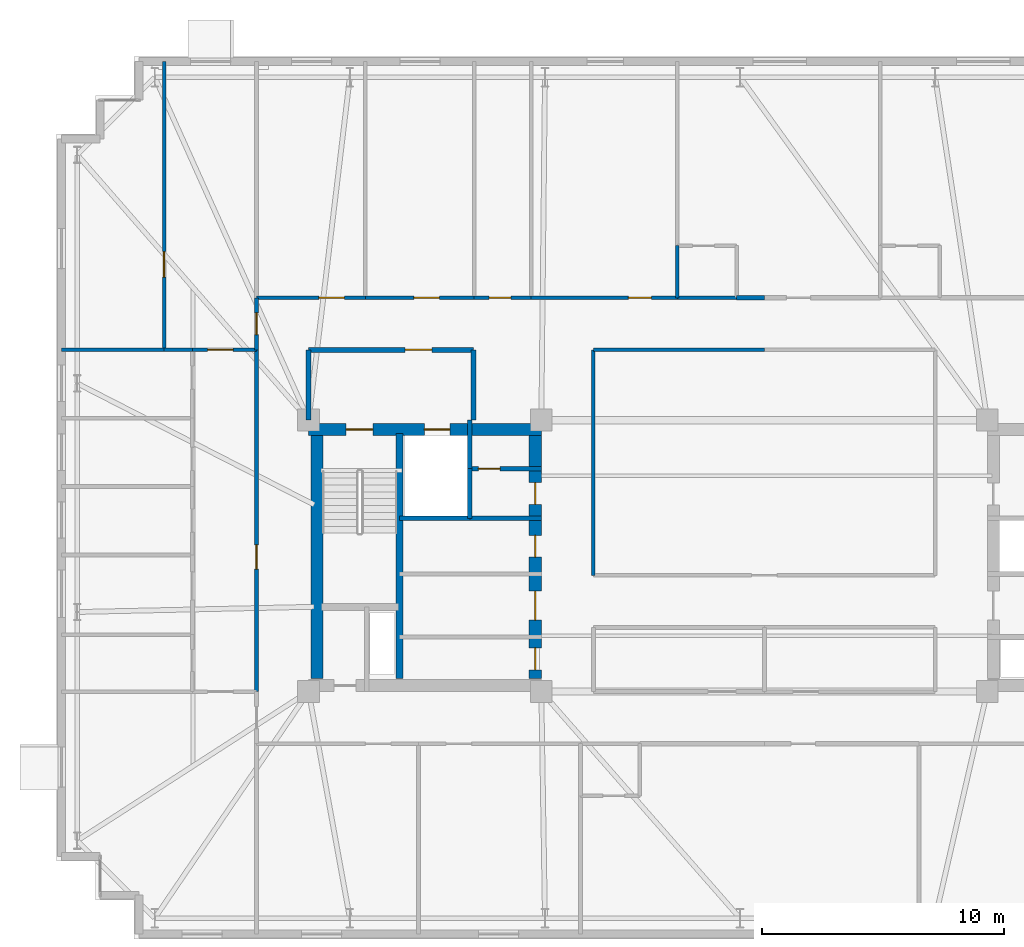
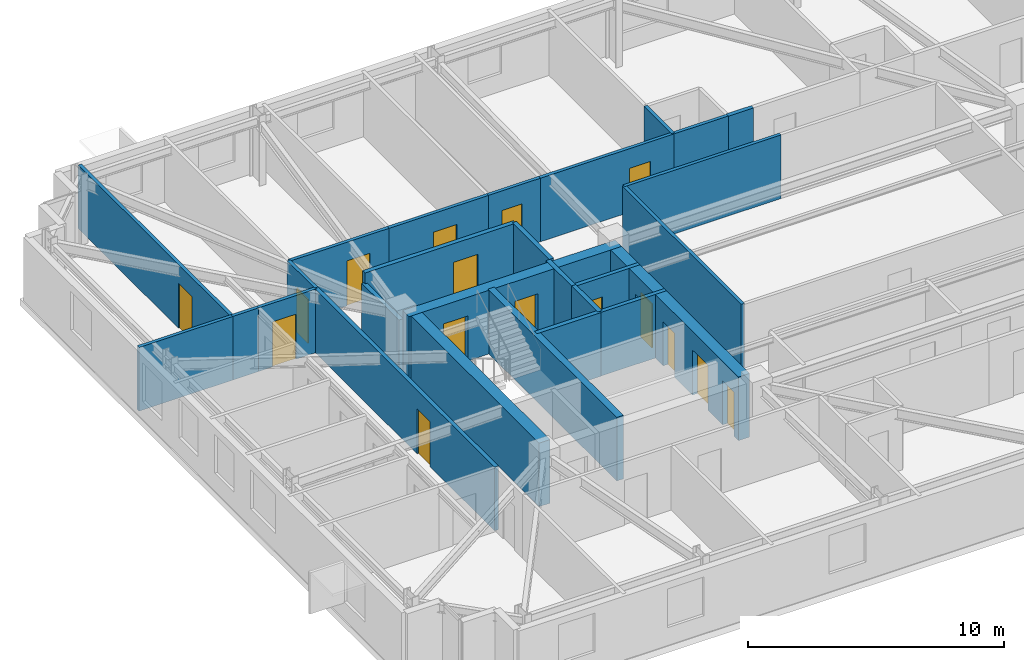
# One storey, part 12 of 17: 27 walls, 16 doors, 16 openings.
"""IFC4 building model written with IfcOpenShell, lengths in metres."""

from ifc_helpers import new_model, si_unit, direction, frame, frame_2d, origin, place, context, subcontext, project, spatial, rectangle, extrude, material, layer, layer_set, type_object, element, fill, save


model = new_model("IFC4")

# Units and contexts
model_context = context("Model", 3, precision=1e-05, world=origin(), true_north=direction((0.0, 1.0)))
body_context = subcontext(model_context, "Body", "Model", "MODEL_VIEW")
ifc_project = project(units=[si_unit("LENGTHUNIT", "METRE"), si_unit("AREAUNIT", "SQUARE_METRE"), si_unit("VOLUMEUNIT", "CUBIC_METRE"), si_unit("PLANEANGLEUNIT", "RADIAN"), si_unit("MASSUNIT", "GRAM", prefix="KILO")], contexts=[model_context])

# Site, building, storey
site_placement = place(None, origin())
site = spatial("IfcSite", under=ifc_project, at=site_placement, CompositionType="ELEMENT")
building_placement = place(site_placement, origin())
building = spatial("IfcBuilding", under=site, at=building_placement, Name="Qobustan Lattice House", CompositionType="ELEMENT")
storey_placement = place(building_placement, frame((0.0, 0.0, 164.5)))
storey = spatial("IfcBuildingStorey", under=building, at=storey_placement, Name="L46", CompositionType="ELEMENT", Elevation=164.5)

# Wall, openings, doors
ifc_material_1 = material(Name="Concrete C50/60", Category="concrete")
ifc_layer_1 = layer(ifc_material_1, 0.5)
ifc_layer_set_1 = layer_set([ifc_layer_1], Name="Concrete C50/60")
wall_type_1 = type_object("IfcWallType", Name="WAL-CORE-500", PredefinedType="SHEAR", material=ifc_layer_set_1)
wall_1_placement = place(storey_placement, frame((-18.800048828125, 5.2099609375, 0.0), z_axis=(0.0, 0.0, 1.0), x_axis=(1.0, 0.0, 0.0)))
wall_1 = element("IfcWall", 1, at=wall_1_placement, inside=storey, type_object=wall_type_1, Name="L46 split-core shear wall CW-N", PredefinedType="SHEAR", context=body_context, shape_type="SweptSolid", body=[
    extrude(rectangle(XDim=9.60009765625, YDim=0.5, at=frame_2d((4.800048828125, 0.0))), origin(), (0.0, 0.0, 1.0), 3.0400390625),
])
opening_1_placement = place(wall_1_placement, frame((1.550048828125, 0.0, 0.0)))
opening_1 = element("IfcOpeningElement", 2, at=opening_1_placement, cuts=wall_1, Name="Opening SD-01", PredefinedType="OPENING", context=body_context, shape_type="SweptSolid", body=[
    extrude(rectangle(XDim=1.10009765625, YDim=2.14990234375, at=frame_2d((0.550048828125, 1.074951171875))), frame((0.0, 0.260009765625, 0.0), z_axis=(0.0, -1.0, 0.0), x_axis=(1.0, 0.0, 0.0)), (0.0, 0.0, 1.0), 0.52001953125),
])
opening_2_placement = place(wall_1_placement, frame((4.77490234375, 0.0, 0.0)))
opening_2 = element("IfcOpeningElement", 3, at=opening_2_placement, cuts=wall_1, Name="Opening LD-01", PredefinedType="OPENING", context=body_context, shape_type="SweptSolid", body=[
    extrude(rectangle(XDim=1.050048828125, YDim=2.10009765625, at=frame_2d((0.52490234375, 1.050048828125))), frame((0.0, 0.260009765625, 0.0), z_axis=(0.0, -1.0, 0.0), x_axis=(1.0, 0.0, 0.0)), (0.0, 0.0, 1.0), 0.52001953125),
])
ifc_material_2 = material(Name="Persian walnut timber and steel frame door", Category="steel")
door_type_1 = type_object("IfcDoorType", Name="DOR-LIFT-LD-1050x2100", OperationType="NOTDEFINED", PredefinedType="DOOR", material=ifc_material_2)
door_1_placement = place(opening_2_placement, origin())
door_1 = element("IfcDoor", 4, at=door_1_placement, inside=storey, type_object=door_type_1, Name="L46 firefighting lift FF-W landing door", OperationType="DOUBLE_DOOR_SLIDING", OverallHeight=2.10009765625, OverallWidth=1.050048828125, PredefinedType="DOOR", context=body_context, shape_type="SweptSolid", body=[
    extrude(rectangle(XDim=1.050048828125, YDim=2.10009765625, at=frame_2d((0.52490234375, 1.050048828125))), frame((0.0, 0.02490234375, 0.0), z_axis=(0.0, -1.0, 0.0), x_axis=(1.0, 0.0, 0.0)), (0.0, 0.0, 1.0), 0.050048828125),
])
fill(opening_2, door_1)
ifc_material_3 = material(Name="Persian walnut timber and steel frame door", Category="steel")
door_type_2 = type_object("IfcDoorType", Name="DOR-STAIR-FD-1100x2150", OperationType="NOTDEFINED", PredefinedType="DOOR", material=ifc_material_3)
door_2_placement = place(opening_1_placement, origin())
door_2 = element("IfcDoor", 5, at=door_2_placement, inside=storey, type_object=door_type_2, Name="L46 exit stair ST-W1 fire door", OperationType="SINGLE_SWING_LEFT", OverallHeight=2.14990234375, OverallWidth=1.10009765625, PredefinedType="DOOR", context=body_context, shape_type="SweptSolid", body=[
    extrude(rectangle(XDim=1.10009765625, YDim=2.14990234375, at=frame_2d((0.550048828125, 1.074951171875))), frame((0.0, 0.02490234375, 0.0), z_axis=(0.0, -1.0, 0.0), x_axis=(1.0, 0.0, 0.0)), (0.0, 0.0, 1.0), 0.050048828125),
])
fill(opening_1, door_2)

# Wall
wall_2_placement = place(storey_placement, frame((-18.4599609375, -5.050048828125, 0.0), z_axis=(0.0, 0.0, 1.0), x_axis=(0.0, 1.0, 0.0)))
element("IfcWall", 6, at=wall_2_placement, inside=storey, type_object=wall_type_1, Name="L46 split-core shear wall CW-W", PredefinedType="SHEAR", context=body_context, shape_type="SweptSolid", body=[
    extrude(rectangle(XDim=10.10009765625, YDim=0.5, at=frame_2d((5.050048828125, 0.0))), origin(), (0.0, 0.0, 1.0), 3.0400390625),
])

# Wall, openings, doors
wall_3_placement = place(storey_placement, frame((-9.449951171875, -5.050048828125, 0.0), z_axis=(0.0, 0.0, 1.0), x_axis=(0.0, 1.0, 0.0)))
wall_3 = element("IfcWall", 7, at=wall_3_placement, inside=storey, type_object=wall_type_1, Name="L46 split-core shear wall CW-E", PredefinedType="SHEAR", context=body_context, shape_type="SweptSolid", body=[
    extrude(rectangle(XDim=10.10009765625, YDim=0.5, at=frame_2d((5.050048828125, 0.0))), origin(), (0.0, 0.0, 1.0), 3.0400390625),
])
opening_3_placement = place(wall_3_placement, frame((7.175048828125, 0.0, 0.0)))
opening_3 = element("IfcOpeningElement", 8, at=opening_3_placement, cuts=wall_3, Name="Opening RD-01", PredefinedType="OPENING", context=body_context, shape_type="SweptSolid", body=[
    extrude(rectangle(XDim=0.89990234375, YDim=2.10009765625, at=frame_2d((0.449951171875, 1.050048828125))), frame((0.0, 0.260009765625, 0.0), z_axis=(0.0, -1.0, 0.0), x_axis=(1.0, 0.0, 0.0)), (0.0, 0.0, 1.0), 0.52001953125),
])
opening_4_placement = place(wall_3_placement, frame((2.39990234375, 0.0, 0.0)))
opening_4 = element("IfcOpeningElement", 9, at=opening_4_placement, cuts=wall_3, Name="Opening FD-01", PredefinedType="OPENING", context=body_context, shape_type="SweptSolid", body=[
    extrude(rectangle(XDim=1.199951171875, YDim=2.14990234375, at=frame_2d((0.60009765625, 1.074951171875))), frame((0.0, 0.260009765625, 0.0), z_axis=(0.0, -1.0, 0.0), x_axis=(1.0, 0.0, 0.0)), (0.0, 0.0, 1.0), 0.52001953125),
])
opening_5_placement = place(wall_3_placement, frame((0.35009765625, 0.0, 0.0)))
opening_5 = element("IfcOpeningElement", 10, at=opening_5_placement, cuts=wall_3, Name="Opening RD-01", PredefinedType="OPENING", context=body_context, shape_type="SweptSolid", body=[
    extrude(rectangle(XDim=0.89990234375, YDim=2.10009765625, at=frame_2d((0.449951171875, 1.050048828125))), frame((0.0, 0.260009765625, 0.0), z_axis=(0.0, -1.0, 0.0), x_axis=(1.0, 0.0, 0.0)), (0.0, 0.0, 1.0), 0.52001953125),
])
opening_6_placement = place(wall_3_placement, frame((5.0, 0.0, 0.0)))
opening_6 = element("IfcOpeningElement", 11, at=opening_6_placement, cuts=wall_3, Name="Opening RD-01", PredefinedType="OPENING", context=body_context, shape_type="SweptSolid", body=[
    extrude(rectangle(XDim=0.89990234375, YDim=2.10009765625, at=frame_2d((0.449951171875, 1.050048828125))), frame((0.0, 0.260009765625, 0.0), z_axis=(0.0, -1.0, 0.0), x_axis=(1.0, 0.0, 0.0)), (0.0, 0.0, 1.0), 0.52001953125),
])
ifc_material_4 = material(Name="Persian walnut timber and steel frame door", Category="steel")
door_type_3 = type_object("IfcDoorType", Name="DOR-LOBBY-FD-1200x2150", OperationType="NOTDEFINED", PredefinedType="DOOR", material=ifc_material_4)
door_3_placement = place(opening_4_placement, origin())
door_3 = element("IfcDoor", 12, at=door_3_placement, inside=storey, type_object=door_type_3, Name="L46 West core foyer fire door", OperationType="SINGLE_SWING_RIGHT", OverallHeight=2.14990234375, OverallWidth=1.199951171875, PredefinedType="DOOR", context=body_context, shape_type="SweptSolid", body=[
    extrude(rectangle(XDim=1.199951171875, YDim=2.14990234375, at=frame_2d((0.60009765625, 1.074951171875))), frame((0.0, 0.02490234375, 0.0), z_axis=(0.0, -1.0, 0.0), x_axis=(1.0, 0.0, 0.0)), (0.0, 0.0, 1.0), 0.050048828125),
])
fill(opening_4, door_3)
ifc_material_5 = material(Name="Persian walnut timber and steel frame door", Category="steel")
door_type_4 = type_object("IfcDoorType", Name="DOR-RISER-FD-900x2100", OperationType="NOTDEFINED", PredefinedType="DOOR", material=ifc_material_5)
door_4_placement = place(opening_3_placement, origin())
door_4 = element("IfcDoor", 13, at=door_4_placement, inside=storey, type_object=door_type_4, Name="L46 Core utility lobby fire door", OperationType="SINGLE_SWING_LEFT", OverallHeight=2.10009765625, OverallWidth=0.89990234375, PredefinedType="DOOR", context=body_context, shape_type="SweptSolid", body=[
    extrude(rectangle(XDim=0.89990234375, YDim=2.10009765625, at=frame_2d((0.449951171875, 1.050048828125))), frame((0.0, 0.02490234375, 0.0), z_axis=(0.0, -1.0, 0.0), x_axis=(1.0, 0.0, 0.0)), (0.0, 0.0, 1.0), 0.050048828125),
])
fill(opening_3, door_4)
door_5_placement = place(opening_5_placement, origin())
door_5 = element("IfcDoor", 14, at=door_5_placement, inside=storey, type_object=door_type_4, Name="L46 Quiet study alcove fire door", OperationType="SINGLE_SWING_LEFT", OverallHeight=2.10009765625, OverallWidth=0.89990234375, PredefinedType="DOOR", context=body_context, shape_type="SweptSolid", body=[
    extrude(rectangle(XDim=0.89990234375, YDim=2.10009765625, at=frame_2d((0.449951171875, 1.050048828125))), frame((0.0, 0.02490234375, 0.0), z_axis=(0.0, -1.0, 0.0), x_axis=(1.0, 0.0, 0.0)), (0.0, 0.0, 1.0), 0.050048828125),
])
fill(opening_5, door_5)
door_6_placement = place(opening_6_placement, origin())
door_6 = element("IfcDoor", 15, at=door_6_placement, inside=storey, type_object=door_type_4, Name="L46 Resident reading pod fire door", OperationType="SINGLE_SWING_RIGHT", OverallHeight=2.10009765625, OverallWidth=0.89990234375, PredefinedType="DOOR", context=body_context, shape_type="SweptSolid", body=[
    extrude(rectangle(XDim=0.89990234375, YDim=2.10009765625, at=frame_2d((0.449951171875, 1.050048828125))), frame((0.0, 0.02490234375, 0.0), z_axis=(0.0, -1.0, 0.0), x_axis=(1.0, 0.0, 0.0)), (0.0, 0.0, 1.0), 0.050048828125),
])
fill(opening_6, door_6)

# Wall
ifc_material_6 = material(Name="Concrete C50/60", Category="concrete")
ifc_layer_2 = layer(ifc_material_6, 0.280029296875)
ifc_layer_set_2 = layer_set([ifc_layer_2], Name="Concrete C50/60")
wall_type_2 = type_object("IfcWallType", Name="WAL-CORE-SPINE-280", PredefinedType="SHEAR", material=ifc_layer_set_2)
wall_4_placement = place(storey_placement, frame((-15.050048828125, -5.050048828125, 0.0), z_axis=(0.0, 0.0, 1.0), x_axis=(0.0, 1.0, 0.0)))
element("IfcWall", 16, at=wall_4_placement, inside=storey, type_object=wall_type_2, Name="L46 split-core shear wall CW-M", PredefinedType="SHEAR", context=body_context, shape_type="SweptSolid", body=[
    extrude(rectangle(XDim=10.10009765625, YDim=0.300048828125, at=frame_2d((5.050048828125, 0.0))), origin(), (0.0, 0.0, 1.0), 3.0400390625),
])

# Wall, opening, door
ifc_material_7 = material(Name="Gypsum fireboard acoustic partition", Category="gypsum")
ifc_layer_3 = layer(ifc_material_7, 0.179931640625)
ifc_layer_set_3 = layer_set([ifc_layer_3], Name="Gypsum fireboard acoustic partition")
wall_type_3 = type_object("IfcWallType", Name="WAL-FIRE-180", PredefinedType="PARTITIONING", material=ifc_layer_set_3)
wall_5_placement = place(storey_placement, frame((-9.199951171875, 3.60009765625, 0.0), z_axis=(0.0, 0.0, 1.0), x_axis=(-1.0, 0.0, 0.0)))
wall_5 = element("IfcWall", 17, at=wall_5_placement, inside=storey, type_object=wall_type_3, Name="L46 interior partition 7", PredefinedType="PARTITIONING", context=body_context, shape_type="SweptSolid", body=[
    extrude(rectangle(XDim=2.949951171875, YDim=0.179931640625, at=frame_2d((1.47509765625, 0.0))), origin(), (0.0, 0.0, 1.0), 3.0400390625),
])
opening_7_placement = place(wall_5_placement, frame((1.699951171875, 0.0, 0.0)))
opening_7 = element("IfcOpeningElement", 18, at=opening_7_placement, cuts=wall_5, Name="Opening RD-01", PredefinedType="OPENING", context=body_context, shape_type="SweptSolid", body=[
    extrude(rectangle(XDim=0.89990234375, YDim=2.10009765625, at=frame_2d((0.449951171875, 1.050048828125))), frame((0.0, 0.099853515625, 0.0), z_axis=(0.0, -1.0, 0.0), x_axis=(1.0, 0.0, 0.0)), (0.0, 0.0, 1.0), 0.199951171875),
])
door_7_placement = place(opening_7_placement, origin())
door_7 = element("IfcDoor", 19, at=door_7_placement, inside=storey, type_object=door_type_4, Name="L46 Core utility lobby to Cleaner store door", OperationType="SINGLE_SWING_RIGHT", OverallHeight=2.10009765625, OverallWidth=0.89990234375, PredefinedType="DOOR", context=body_context, shape_type="SweptSolid", body=[
    extrude(rectangle(XDim=0.89990234375, YDim=2.10009765625, at=frame_2d((0.449951171875, 1.050048828125))), frame((0.0, 0.02490234375, 0.0), z_axis=(0.0, -1.0, 0.0), x_axis=(1.0, 0.0, 0.0)), (0.0, 0.0, 1.0), 0.050048828125),
])
fill(opening_7, door_7)

# Walls
wall_6_placement = place(storey_placement, frame((-12.14990234375, 1.550048828125, 0.0), z_axis=(0.0, 0.0, 1.0), x_axis=(1.0, 0.0, 0.0)))
element("IfcWall", 20, at=wall_6_placement, inside=storey, type_object=wall_type_3, Name="L46 interior partition 8", PredefinedType="PARTITIONING", context=body_context, shape_type="SweptSolid", body=[
    extrude(rectangle(XDim=2.949951171875, YDim=0.179931640625, at=frame_2d((1.47509765625, 0.0))), origin(), (0.0, 0.0, 1.0), 3.0400390625),
])
wall_7_placement = place(storey_placement, frame((-1.139892578125, 10.64990234375, 0.0), z_axis=(0.0, 0.0, 1.0), x_axis=(1.0, 0.0, 0.0)))
element("IfcWall", 21, at=wall_7_placement, inside=storey, type_object=wall_type_3, Name="L46 interior partition 37", PredefinedType="PARTITIONING", context=body_context, shape_type="SweptSolid", body=[
    extrude(rectangle(XDim=1.139892578125, YDim=0.179931640625, at=frame_2d((0.56982421875, 0.0))), origin(), (0.0, 0.0, 1.0), 3.0400390625),
])

# Wall, opening, door
wall_8_placement = place(storey_placement, frame((-20.949951171875, -5.60009765625, 0.0), z_axis=(0.0, 0.0, 1.0), x_axis=(0.0, 1.0, 0.0)))
wall_8 = element("IfcWall", 22, at=wall_8_placement, inside=storey, type_object=wall_type_3, Name="L46 interior partition 57", PredefinedType="PARTITIONING", context=body_context, shape_type="SweptSolid", body=[
    extrude(rectangle(XDim=14.10009765625, YDim=0.179931640625, at=frame_2d((7.050048828125, 0.0))), origin(), (0.0, 0.0, 1.0), 3.0400390625),
])
opening_8_placement = place(wall_8_placement, frame((5.0576171875, 0.0, 0.0)))
opening_8 = element("IfcOpeningElement", 23, at=opening_8_placement, cuts=wall_8, Name="Opening FD-02", PredefinedType="OPENING", context=body_context, shape_type="SweptSolid", body=[
    extrude(rectangle(XDim=1.0, YDim=2.14990234375, at=frame_2d((0.5, 1.074951171875))), frame((0.0, 0.099853515625, 0.0), z_axis=(0.0, -1.0, 0.0), x_axis=(1.0, 0.0, 0.0)), (0.0, 0.0, 1.0), 0.199951171875),
])
ifc_material_8 = material(Name="Persian walnut timber and steel frame door", Category="steel")
door_type_5 = type_object("IfcDoorType", Name="DOR-UNIT-FD-1000x2150", OperationType="NOTDEFINED", PredefinedType="DOOR", material=ifc_material_8)
door_8_placement = place(opening_8_placement, origin())
door_8 = element("IfcDoor", 24, at=door_8_placement, inside=storey, type_object=door_type_5, Name="L46 West wing spine gallery to Residence entrance hall L46W door", OperationType="SINGLE_SWING_RIGHT", OverallHeight=2.14990234375, OverallWidth=1.0, PredefinedType="DOOR", context=body_context, shape_type="SweptSolid", body=[
    extrude(rectangle(XDim=1.0, YDim=2.14990234375, at=frame_2d((0.5, 1.074951171875))), frame((0.0, 0.02490234375, 0.0), z_axis=(0.0, -1.0, 0.0), x_axis=(1.0, 0.0, 0.0)), (0.0, 0.0, 1.0), 0.050048828125),
])
fill(opening_8, door_8)

ifc_material_9 = material(Name="Acoustic twin-stud gypsum partition", Category="gypsum")
ifc_layer_4 = layer(ifc_material_9, 0.14990234375)
ifc_layer_set_4 = layer_set([ifc_layer_4], Name="Acoustic twin-stud gypsum partition")
wall_type_4 = type_object("IfcWallType", Name="WAL-PART-150", PredefinedType="PARTITIONING", material=ifc_layer_set_4)
wall_9_placement = place(storey_placement, frame((-20.949951171875, 8.5, 0.0), z_axis=(0.0, 0.0, 1.0), x_axis=(0.0, 1.0, 0.0)))
wall_9 = element("IfcWall", 25, at=wall_9_placement, inside=storey, type_object=wall_type_4, Name="L46 interior partition 32", PredefinedType="PARTITIONING", context=body_context, shape_type="SweptSolid", body=[
    extrude(rectangle(XDim=2.14990234375, YDim=0.14990234375, at=frame_2d((1.074951171875, 0.0))), origin(), (0.0, 0.0, 1.0), 3.0400390625),
])
opening_9_placement = place(wall_9_placement, frame((0.625, 0.0, 0.0)))
opening_9 = element("IfcOpeningElement", 26, at=opening_9_placement, cuts=wall_9, Name="Opening WD-01", PredefinedType="OPENING", context=body_context, shape_type="SweptSolid", body=[
    extrude(rectangle(XDim=0.89990234375, YDim=2.10009765625, at=frame_2d((0.449951171875, 1.050048828125))), frame((0.0, 0.0849609375, 0.0), z_axis=(0.0, -1.0, 0.0), x_axis=(1.0, 0.0, 0.0)), (0.0, 0.0, 1.0), 0.169921875),
])
ifc_material_10 = material(Name="Persian walnut timber and steel frame door", Category="steel")
door_type_6 = type_object("IfcDoorType", Name="DOR-WET-900x2100", OperationType="NOTDEFINED", PredefinedType="DOOR", material=ifc_material_10)
door_9_placement = place(opening_9_placement, origin())
door_9 = element("IfcDoor", 27, at=door_9_placement, inside=storey, type_object=door_type_6, Name="L46 North-west floor corridor to Reading seminar room L46WN door", OperationType="SINGLE_SWING_RIGHT", OverallHeight=2.10009765625, OverallWidth=0.89990234375, PredefinedType="DOOR", context=body_context, shape_type="SweptSolid", body=[
    extrude(rectangle(XDim=0.89990234375, YDim=2.10009765625, at=frame_2d((0.449951171875, 1.050048828125))), frame((0.0, 0.02490234375, 0.0), z_axis=(0.0, -1.0, 0.0), x_axis=(1.0, 0.0, 0.0)), (0.0, 0.0, 1.0), 0.050048828125),
])
fill(opening_9, door_9)

wall_10_placement = place(storey_placement, frame((-20.949951171875, 10.64990234375, 0.0), z_axis=(0.0, 0.0, 1.0), x_axis=(1.0, 0.0, 0.0)))
wall_10 = element("IfcWall", 28, at=wall_10_placement, inside=storey, type_object=wall_type_4, Name="L46 interior partition 33", PredefinedType="PARTITIONING", context=body_context, shape_type="SweptSolid", body=[
    extrude(rectangle(XDim=4.489990234375, YDim=0.14990234375, at=frame_2d((2.2451171875, 0.0))), origin(), (0.0, 0.0, 1.0), 3.0400390625),
])
opening_10_placement = place(wall_10_placement, frame((2.574951171875, 0.0, 0.0)))
opening_10 = element("IfcOpeningElement", 29, at=opening_10_placement, cuts=wall_10, Name="Opening ID-02", PredefinedType="OPENING", context=body_context, shape_type="SweptSolid", body=[
    extrude(rectangle(XDim=1.050048828125, YDim=2.14990234375, at=frame_2d((0.52490234375, 1.074951171875))), frame((0.0, 0.0849609375, 0.0), z_axis=(0.0, -1.0, 0.0), x_axis=(1.0, 0.0, 0.0)), (0.0, 0.0, 1.0), 0.169921875),
])
ifc_material_11 = material(Name="Persian walnut timber and steel frame door", Category="steel")
door_type_7 = type_object("IfcDoorType", Name="DOR-STUDY-1050x2150", OperationType="NOTDEFINED", PredefinedType="DOOR", material=ifc_material_11)
door_10_placement = place(opening_10_placement, origin())
door_10 = element("IfcDoor", 30, at=door_10_placement, inside=storey, type_object=door_type_7, Name="L46 North-west floor corridor to Focus study room N1A door", OperationType="SINGLE_SWING_LEFT", OverallHeight=2.14990234375, OverallWidth=1.050048828125, PredefinedType="DOOR", context=body_context, shape_type="SweptSolid", body=[
    extrude(rectangle(XDim=1.050048828125, YDim=2.14990234375, at=frame_2d((0.52490234375, 1.074951171875))), frame((0.0, 0.02490234375, 0.0), z_axis=(0.0, -1.0, 0.0), x_axis=(1.0, 0.0, 0.0)), (0.0, 0.0, 1.0), 0.050048828125),
])
fill(opening_10, door_10)

wall_11_placement = place(storey_placement, frame((-16.4599609375, 10.64990234375, 0.0), z_axis=(0.0, 0.0, 1.0), x_axis=(1.0, 0.0, 0.0)))
wall_11 = element("IfcWall", 31, at=wall_11_placement, inside=storey, type_object=wall_type_4, Name="L46 interior partition 34", PredefinedType="PARTITIONING", context=body_context, shape_type="SweptSolid", body=[
    extrude(rectangle(XDim=4.489990234375, YDim=0.14990234375, at=frame_2d((2.2451171875, 0.0))), origin(), (0.0, 0.0, 1.0), 3.0400390625),
])
opening_11_placement = place(wall_11_placement, frame((2.0048828125, 0.0, 0.0)))
opening_11 = element("IfcOpeningElement", 32, at=opening_11_placement, cuts=wall_11, Name="Opening ID-02", PredefinedType="OPENING", context=body_context, shape_type="SweptSolid", body=[
    extrude(rectangle(XDim=1.050048828125, YDim=2.14990234375, at=frame_2d((0.52490234375, 1.074951171875))), frame((0.0, 0.0849609375, 0.0), z_axis=(0.0, -1.0, 0.0), x_axis=(1.0, 0.0, 0.0)), (0.0, 0.0, 1.0), 0.169921875),
])
door_11_placement = place(opening_11_placement, origin())
door_11 = element("IfcDoor", 33, at=door_11_placement, inside=storey, type_object=door_type_7, Name="L46 North-west floor corridor to Focus study room N1B door", OperationType="SINGLE_SWING_RIGHT", OverallHeight=2.14990234375, OverallWidth=1.050048828125, PredefinedType="DOOR", context=body_context, shape_type="SweptSolid", body=[
    extrude(rectangle(XDim=1.050048828125, YDim=2.14990234375, at=frame_2d((0.52490234375, 1.074951171875))), frame((0.0, 0.02490234375, 0.0), z_axis=(0.0, -1.0, 0.0), x_axis=(1.0, 0.0, 0.0)), (0.0, 0.0, 1.0), 0.050048828125),
])
fill(opening_11, door_11)

wall_12_placement = place(storey_placement, frame((-9.6201171875, 10.64990234375, 0.0), z_axis=(0.0, 0.0, 1.0), x_axis=(1.0, 0.0, 0.0)))
wall_12 = element("IfcWall", 34, at=wall_12_placement, inside=storey, type_object=wall_type_4, Name="L46 interior partition 36", PredefinedType="PARTITIONING", context=body_context, shape_type="SweptSolid", body=[
    extrude(rectangle(XDim=6.030029296875, YDim=0.14990234375, at=frame_2d((3.01513671875, 0.0))), origin(), (0.0, 0.0, 1.0), 3.0400390625),
])
opening_12_placement = place(wall_12_placement, frame((4.010009765625, 0.0, 0.0)))
opening_12 = element("IfcOpeningElement", 35, at=opening_12_placement, cuts=wall_12, Name="Opening ID-01", PredefinedType="OPENING", context=body_context, shape_type="SweptSolid", body=[
    extrude(rectangle(XDim=0.949951171875, YDim=2.10009765625, at=frame_2d((0.47509765625, 1.050048828125))), frame((0.0, 0.0849609375, 0.0), z_axis=(0.0, -1.0, 0.0), x_axis=(1.0, 0.0, 0.0)), (0.0, 0.0, 1.0), 0.169921875),
])
ifc_material_12 = material(Name="Persian walnut timber and steel frame door", Category="steel")
door_type_8 = type_object("IfcDoorType", Name="DOR-ROOM-950x2100", OperationType="NOTDEFINED", PredefinedType="DOOR", material=ifc_material_12)
door_12_placement = place(opening_12_placement, origin())
door_12 = element("IfcDoor", 36, at=door_12_placement, inside=storey, type_object=door_type_8, Name="L46 North-west floor corridor to Laundry utility room door", OperationType="SINGLE_SWING_RIGHT", OverallHeight=2.10009765625, OverallWidth=0.949951171875, PredefinedType="DOOR", context=body_context, shape_type="SweptSolid", body=[
    extrude(rectangle(XDim=0.949951171875, YDim=2.10009765625, at=frame_2d((0.47509765625, 1.050048828125))), frame((0.0, 0.02490234375, 0.0), z_axis=(0.0, -1.0, 0.0), x_axis=(1.0, 0.0, 0.0)), (0.0, 0.0, 1.0), 0.050048828125),
])
fill(opening_12, door_12)

# Walls
wall_13_placement = place(storey_placement, frame((0.0, 8.5, 0.0), z_axis=(0.0, 0.0, 1.0), x_axis=(-1.0, 0.0, 0.0)))
element("IfcWall", 37, at=wall_13_placement, inside=storey, type_object=wall_type_4, Name="L46 interior partition 39", PredefinedType="PARTITIONING", context=body_context, shape_type="SweptSolid", body=[
    extrude(rectangle(XDim=7.050048828125, YDim=0.14990234375, at=frame_2d((3.52490234375, 0.0))), origin(), (0.0, 0.0, 1.0), 3.0400390625),
])
wall_14_placement = place(storey_placement, frame((-7.050048828125, 8.5, 0.0), z_axis=(0.0, 0.0, 1.0), x_axis=(0.0, -1.0, 0.0)))
element("IfcWall", 38, at=wall_14_placement, inside=storey, type_object=wall_type_4, Name="L46 interior partition 63", PredefinedType="PARTITIONING", context=body_context, shape_type="SweptSolid", body=[
    extrude(rectangle(XDim=9.300048828125, YDim=0.14990234375, at=frame_2d((4.64990234375, 0.0))), origin(), (0.0, 0.0, 1.0), 3.0400390625),
])

# Wall, opening, door
wall_15_placement = place(storey_placement, frame((-23.60009765625, 8.5, 0.0), z_axis=(0.0, 0.0, 1.0), x_axis=(1.0, 0.0, 0.0)))
wall_15 = element("IfcWall", 39, at=wall_15_placement, inside=storey, type_object=wall_type_4, Name="L46 interior partition 67", PredefinedType="PARTITIONING", context=body_context, shape_type="SweptSolid", body=[
    extrude(rectangle(XDim=2.650146484375, YDim=0.14990234375, at=frame_2d((1.3251953125, 0.0))), origin(), (0.0, 0.0, 1.0), 3.0400390625),
])
opening_13_placement = place(wall_15_placement, frame((0.635009765625, 0.0, 0.0)))
opening_13 = element("IfcOpeningElement", 40, at=opening_13_placement, cuts=wall_15, Name="Opening ID-02", PredefinedType="OPENING", context=body_context, shape_type="SweptSolid", body=[
    extrude(rectangle(XDim=1.050048828125, YDim=2.14990234375, at=frame_2d((0.52490234375, 1.074951171875))), frame((0.0, 0.0849609375, 0.0), z_axis=(0.0, -1.0, 0.0), x_axis=(1.0, 0.0, 0.0)), (0.0, 0.0, 1.0), 0.169921875),
])
door_13_placement = place(opening_13_placement, origin())
door_13 = element("IfcDoor", 41, at=door_13_placement, inside=storey, type_object=door_type_7, Name="L46 Residence entrance hall L46W to Reading seminar room L46WN door", OperationType="SINGLE_SWING_RIGHT", OverallHeight=2.14990234375, OverallWidth=1.050048828125, PredefinedType="DOOR", context=body_context, shape_type="SweptSolid", body=[
    extrude(rectangle(XDim=1.050048828125, YDim=2.14990234375, at=frame_2d((0.52490234375, 1.074951171875))), frame((0.0, 0.02490234375, 0.0), z_axis=(0.0, -1.0, 0.0), x_axis=(1.0, 0.0, 0.0)), (0.0, 0.0, 1.0), 0.050048828125),
])
fill(opening_13, door_13)

wall_16_placement = place(storey_placement, frame((-24.764892578125, 8.5, 0.0), z_axis=(0.0, 0.0, 1.0), x_axis=(0.0, 1.0, 0.0)))
wall_16 = element("IfcWall", 42, at=wall_16_placement, inside=storey, type_object=wall_type_4, Name="L46 interior partition 74", PredefinedType="PARTITIONING", context=body_context, shape_type="SweptSolid", body=[
    extrude(rectangle(XDim=11.89990234375, YDim=0.14990234375, at=frame_2d((5.949951171875, 0.0))), origin(), (0.0, 0.0, 1.0), 3.0400390625),
])
opening_14_placement = place(wall_16_placement, frame((3.00244140625, 0.0, 0.0)))
opening_14 = element("IfcOpeningElement", 43, at=opening_14_placement, cuts=wall_16, Name="Opening ID-02", PredefinedType="OPENING", context=body_context, shape_type="SweptSolid", body=[
    extrude(rectangle(XDim=1.050048828125, YDim=2.14990234375, at=frame_2d((0.52490234375, 1.074951171875))), frame((0.0, 0.0849609375, 0.0), z_axis=(0.0, -1.0, 0.0), x_axis=(1.0, 0.0, 0.0)), (0.0, 0.0, 1.0), 0.169921875),
])
door_14_placement = place(opening_14_placement, origin())
door_14 = element("IfcDoor", 44, at=door_14_placement, inside=storey, type_object=door_type_7, Name="L46 Reading seminar room L46WN to Collaborative study room L46WN door", OperationType="SINGLE_SWING_LEFT", OverallHeight=2.14990234375, OverallWidth=1.050048828125, PredefinedType="DOOR", context=body_context, shape_type="SweptSolid", body=[
    extrude(rectangle(XDim=1.050048828125, YDim=2.14990234375, at=frame_2d((0.52490234375, 1.074951171875))), frame((0.0, 0.02490234375, 0.0), z_axis=(0.0, -1.0, 0.0), x_axis=(1.0, 0.0, 0.0)), (0.0, 0.0, 1.0), 0.050048828125),
])
fill(opening_14, door_14)

# Walls
wall_17_placement = place(storey_placement, frame((-23.60009765625, 8.5, 0.0), z_axis=(0.0, 0.0, 1.0), x_axis=(-1.0, 0.0, 0.0)))
element("IfcWall", 45, at=wall_17_placement, inside=storey, type_object=wall_type_4, Name="L46 interior partition 75", PredefinedType="PARTITIONING", context=body_context, shape_type="SweptSolid", body=[
    extrude(rectangle(XDim=1.164794921875, YDim=0.14990234375, at=frame_2d((0.58251953125, 0.0))), origin(), (0.0, 0.0, 1.0), 3.0400390625),
])
wall_18_placement = place(storey_placement, frame((-24.764892578125, 8.5, 0.0), z_axis=(0.0, 0.0, 1.0), x_axis=(-1.0, 0.0, 0.0)))
element("IfcWall", 46, at=wall_18_placement, inside=storey, type_object=wall_type_4, Name="L46 interior partition 77", PredefinedType="PARTITIONING", context=body_context, shape_type="SweptSolid", body=[
    extrude(rectangle(XDim=4.235107421875, YDim=0.14990234375, at=frame_2d((2.11767578125, 0.0))), origin(), (0.0, 0.0, 1.0), 3.0400390625),
])

# Wall, opening, door
ifc_material_13 = material(Name="Two-hour gypsum fireboard acoustic partition", Category="gypsum")
ifc_layer_5 = layer(ifc_material_13, 0.199951171875)
ifc_layer_set_5 = layer_set([ifc_layer_5], Name="Two-hour gypsum fireboard acoustic partition")
wall_type_5 = type_object("IfcWallType", Name="WAL-PROT-200", PredefinedType="PARTITIONING", material=ifc_layer_set_5)
wall_19_placement = place(storey_placement, frame((-12.0, 8.5, 0.0), z_axis=(0.0, 0.0, 1.0), x_axis=(-1.0, 0.0, 0.0)))
wall_19 = element("IfcWall", 47, at=wall_19_placement, inside=storey, type_object=wall_type_5, Name="L46 interior partition 4", PredefinedType="PARTITIONING", context=body_context, shape_type="SweptSolid", body=[
    extrude(rectangle(XDim=6.800048828125, YDim=0.199951171875, at=frame_2d((3.39990234375, 0.0))), origin(), (0.0, 0.0, 1.0), 3.0400390625),
])
opening_15_placement = place(wall_19_placement, frame((1.715087890625, 0.0, 0.0)))
opening_15 = element("IfcOpeningElement", 48, at=opening_15_placement, cuts=wall_19, Name="Opening SD-01", PredefinedType="OPENING", context=body_context, shape_type="SweptSolid", body=[
    extrude(rectangle(XDim=1.10009765625, YDim=2.14990234375, at=frame_2d((0.550048828125, 1.074951171875))), frame((0.0, 0.10986328125, 0.0), z_axis=(0.0, -1.0, 0.0), x_axis=(1.0, 0.0, 0.0)), (0.0, 0.0, 1.0), 0.219970703125),
])
door_15_placement = place(opening_15_placement, origin())
door_15 = element("IfcDoor", 49, at=door_15_placement, inside=storey, type_object=door_type_2, Name="L46 West firefighting lift lobby to North-west floor corridor door", OperationType="SINGLE_SWING_LEFT", OverallHeight=2.14990234375, OverallWidth=1.10009765625, PredefinedType="DOOR", context=body_context, shape_type="SweptSolid", body=[
    extrude(rectangle(XDim=1.10009765625, YDim=2.14990234375, at=frame_2d((0.550048828125, 1.074951171875))), frame((0.0, 0.02490234375, 0.0), z_axis=(0.0, -1.0, 0.0), x_axis=(1.0, 0.0, 0.0)), (0.0, 0.0, 1.0), 0.050048828125),
])
fill(opening_15, door_15)

# Walls
wall_20_placement = place(storey_placement, frame((-18.800048828125, 8.5, 0.0), z_axis=(0.0, 0.0, 1.0), x_axis=(0.0, -1.0, 0.0)))
element("IfcWall", 50, at=wall_20_placement, inside=storey, type_object=wall_type_5, Name="L46 interior partition 5", PredefinedType="PARTITIONING", context=body_context, shape_type="SweptSolid", body=[
    extrude(rectangle(XDim=2.89990234375, YDim=0.199951171875, at=frame_2d((1.449951171875, 0.0))), origin(), (0.0, 0.0, 1.0), 2.52490234375),
])
wall_21_placement = place(storey_placement, frame((-12.0, 5.60009765625, 0.0), z_axis=(0.0, 0.0, 1.0), x_axis=(0.0, 1.0, 0.0)))
element("IfcWall", 51, at=wall_21_placement, inside=storey, type_object=wall_type_5, Name="L46 interior partition 6", PredefinedType="PARTITIONING", context=body_context, shape_type="SweptSolid", body=[
    extrude(rectangle(XDim=2.89990234375, YDim=0.199951171875, at=frame_2d((1.449951171875, 0.0))), origin(), (0.0, 0.0, 1.0), 3.0400390625),
])
ifc_material_14 = material(Name="Concrete C40/50", Category="concrete")
ifc_layer_6 = layer(ifc_material_14, 0.199951171875)
ifc_layer_set_6 = layer_set([ifc_layer_6], Name="Concrete C40/50")
wall_type_6 = type_object("IfcWallType", Name="WAL-SHAFT-200", PredefinedType="PARTITIONING", material=ifc_layer_set_6)
wall_22_placement = place(storey_placement, frame((-12.14990234375, 1.550048828125, 0.0), z_axis=(0.0, 0.0, 1.0), x_axis=(0.0, 1.0, 0.0)))
element("IfcWall", 52, at=wall_22_placement, inside=storey, type_object=wall_type_6, Name="L46 interior partition 2", PredefinedType="PARTITIONING", context=body_context, shape_type="SweptSolid", body=[
    extrude(rectangle(XDim=2.050048828125, YDim=0.199951171875, at=frame_2d((1.02490234375, 0.0))), origin(), (0.0, 0.0, 1.0), 3.0400390625),
])
wall_23_placement = place(storey_placement, frame((-12.14990234375, 3.60009765625, 0.0), z_axis=(0.0, 0.0, 1.0), x_axis=(0.0, 1.0, 0.0)))
element("IfcWall", 53, at=wall_23_placement, inside=storey, type_object=wall_type_6, Name="L46 interior partition 3", PredefinedType="PARTITIONING", context=body_context, shape_type="SweptSolid", body=[
    extrude(rectangle(XDim=2.0, YDim=0.199951171875, at=frame_2d((1.0, 0.0))), origin(), (0.0, 0.0, 1.0), 3.0400390625),
])
wall_24_placement = place(storey_placement, frame((-15.050048828125, 1.550048828125, 0.0), z_axis=(0.0, 0.0, 1.0), x_axis=(1.0, 0.0, 0.0)))
element("IfcWall", 54, at=wall_24_placement, inside=storey, type_object=wall_type_6, Name="L46 interior partition 107", PredefinedType="PARTITIONING", context=body_context, shape_type="SweptSolid", body=[
    extrude(rectangle(XDim=2.900146484375, YDim=0.199951171875, at=frame_2d((1.4501953125, 0.0))), origin(), (0.0, 0.0, 1.0), 3.0400390625),
])

# Wall, opening, door
ifc_material_15 = material(Name="Moisture-resistant acoustic plumbing wall", Category="gypsum")
ifc_layer_7 = layer(ifc_material_15, 0.14990234375)
ifc_layer_set_7 = layer_set([ifc_layer_7], Name="Moisture-resistant acoustic plumbing wall")
wall_type_7 = type_object("IfcWallType", Name="WAL-WET-150", PredefinedType="PLUMBINGWALL", material=ifc_layer_set_7)
wall_25_placement = place(storey_placement, frame((-11.969970703125, 10.64990234375, 0.0), z_axis=(0.0, 0.0, 1.0), x_axis=(1.0, 0.0, 0.0)))
wall_25 = element("IfcWall", 55, at=wall_25_placement, inside=storey, type_object=wall_type_7, Name="L46 interior partition 35", PredefinedType="PLUMBINGWALL", context=body_context, shape_type="SweptSolid", body=[
    extrude(rectangle(XDim=2.349853515625, YDim=0.14990234375, at=frame_2d((1.1748046875, 0.0))), origin(), (0.0, 0.0, 1.0), 3.0400390625),
])
opening_16_placement = place(wall_25_placement, frame((0.6162109375, 0.0, 0.0)))
opening_16 = element("IfcOpeningElement", 56, at=opening_16_placement, cuts=wall_25, Name="Opening WD-01", PredefinedType="OPENING", context=body_context, shape_type="SweptSolid", body=[
    extrude(rectangle(XDim=0.89990234375, YDim=2.10009765625, at=frame_2d((0.449951171875, 1.050048828125))), frame((0.0, 0.0849609375, 0.0), z_axis=(0.0, -1.0, 0.0), x_axis=(1.0, 0.0, 0.0)), (0.0, 0.0, 1.0), 0.169921875),
])
door_16_placement = place(opening_16_placement, origin())
door_16 = element("IfcDoor", 57, at=door_16_placement, inside=storey, type_object=door_type_6, Name="L46 North-west floor corridor to Accessible WC door", OperationType="SINGLE_SWING_LEFT", OverallHeight=2.10009765625, OverallWidth=0.89990234375, PredefinedType="DOOR", context=body_context, shape_type="SweptSolid", body=[
    extrude(rectangle(XDim=0.89990234375, YDim=2.10009765625, at=frame_2d((0.449951171875, 1.050048828125))), frame((0.0, 0.02490234375, 0.0), z_axis=(0.0, -1.0, 0.0), x_axis=(1.0, 0.0, 0.0)), (0.0, 0.0, 1.0), 0.050048828125),
])
fill(opening_16, door_16)

# Walls
wall_26_placement = place(storey_placement, frame((-3.590087890625, 10.64990234375, 0.0), z_axis=(0.0, 0.0, 1.0), x_axis=(1.0, 0.0, 0.0)))
element("IfcWall", 58, at=wall_26_placement, inside=storey, type_object=wall_type_7, Name="L46 interior partition 38", PredefinedType="PLUMBINGWALL", context=body_context, shape_type="SweptSolid", body=[
    extrude(rectangle(XDim=2.4501953125, YDim=0.14990234375, at=frame_2d((1.22509765625, 0.0))), origin(), (0.0, 0.0, 1.0), 3.0400390625),
])
wall_27_placement = place(storey_placement, frame((-3.590087890625, 12.800048828125, 0.0), z_axis=(0.0, 0.0, 1.0), x_axis=(0.0, -1.0, 0.0)))
element("IfcWall", 59, at=wall_27_placement, inside=storey, type_object=wall_type_7, Name="L46 interior partition 91", PredefinedType="PLUMBINGWALL", context=body_context, shape_type="SweptSolid", body=[
    extrude(rectangle(XDim=2.150146484375, YDim=0.14990234375, at=frame_2d((1.0751953125, 0.0))), origin(), (0.0, 0.0, 1.0), 3.0400390625),
])

save(model, "model.ifc")
